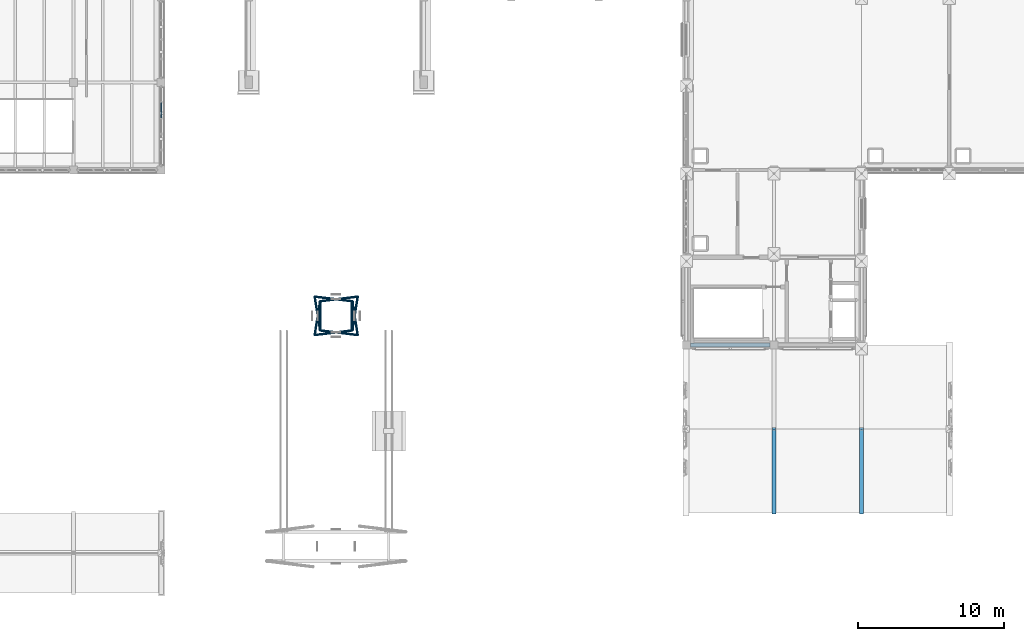
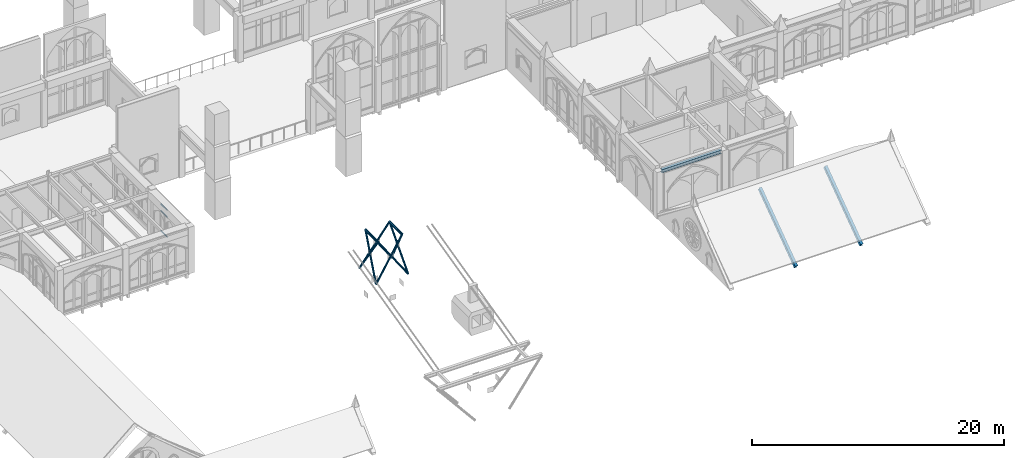
# One storey, part 35 of 108: 19 members, 1 beam, 1 element without a shape of its own.
"""IFC4 building model written with IfcOpenShell, lengths in metres."""

from ifc_helpers import new_model, si_unit, direction, frame, origin, origin_2d, place, context, subcontext, project, spatial, hollow_rectangle, hollow_circle, i_section, extrude, material, layer, layer_set, material_profile, profile_set, type_object, element, aggregate, save


model = new_model("IFC4")

# Units and contexts
model_context = context("Model", 3, precision=1e-05, world=origin(), true_north=direction((0.0, 1.0)))
body_context = subcontext(model_context, "Body", "Model", "MODEL_VIEW")
ifc_project = project(units=[si_unit("LENGTHUNIT", "METRE"), si_unit("AREAUNIT", "SQUARE_METRE"), si_unit("VOLUMEUNIT", "CUBIC_METRE"), si_unit("PLANEANGLEUNIT", "RADIAN"), si_unit("MASSUNIT", "GRAM", prefix="KILO")], contexts=[model_context])

# Site, building, storey
site_placement = place(None, origin())
site = spatial("IfcSite", under=ifc_project, at=site_placement, CompositionType="ELEMENT")
building_placement = place(site_placement, origin())
building = spatial("IfcBuilding", under=site, at=building_placement, Name="Cumevento Cable Car Station", CompositionType="ELEMENT")
storey_placement = place(building_placement, frame((0.0, 0.0, 13.5)))
storey = spatial("IfcBuildingStorey", under=building, at=storey_placement, Name="L04", CompositionType="ELEMENT", Elevation=13.5)

# Curtain wall, members
ifc_material_1 = material(Name="Anodised Bronze Aluminium AW-6063-T6", Category="aluminium")
ifc_layer = layer(ifc_material_1, 0.177978515625)
ifc_layer_set = layer_set([ifc_layer], Name="Anodised Bronze Aluminium AW-6063-T6")
curtain_wall_type = type_object("IfcCurtainWallType", Name="Lancet Curtain Wall CW-04 1170", PredefinedType="NOTDEFINED", material=ifc_layer_set)
curtain_wall_placement = place(storey_placement, origin())
curtain_wall = element("IfcCurtainWall", 1, at=curtain_wall_placement, inside=storey, type_object=curtain_wall_type, Name="Lancet Curtain Wall CW-04 L04 #147", PredefinedType="NOTDEFINED")
ifc_material_2 = material(Name="Anodised Bronze Aluminium AW-6063-T6", Category="aluminium")
ifc_material_profile_1 = material_profile(ifc_material_2, hollow_rectangle(XDim=0.06494140625, YDim=0.1201171875, WallThickness=0.00390625, at=origin_2d()), Name="ALUT65x120x4")
ifc_profile_set_1 = profile_set([ifc_material_profile_1], Name="Anodised Bronze Aluminium AW-6063-T6")
member_type_1 = type_object("IfcMemberType", Name="Curtain Transom CWT-01 ALUT65x120x4", PredefinedType="USERDEFINED", material=ifc_profile_set_1)
member_1_placement = place(storey_placement, frame((82.0, 37.6025390625, 1.159912109375), z_axis=(0.0, -1.0, 0.0), x_axis=(1.0, 0.0, 0.0)))
member_1 = element("IfcMember", 2, at=member_1_placement, type_object=member_type_1, Name="CW-04 transom 2.2", ObjectType="TRANSOM", PredefinedType="USERDEFINED", context=body_context, shape_type="SweptSolid", body=[
    extrude(hollow_rectangle(XDim=0.06494140625, YDim=0.1201171875, WallThickness=0.00390625, at=origin_2d()), origin(), (0.0, 0.0, 1.0), 1.025146484375),
])
member_2_placement = place(storey_placement, frame((82.0, 37.6025390625, 3.096923828125), z_axis=(0.0, -1.0, 0.0), x_axis=(1.0, 0.0, 0.0)))
member_2 = element("IfcMember", 3, at=member_2_placement, type_object=member_type_1, Name="CW-04 transom 2.3", ObjectType="TRANSOM", PredefinedType="USERDEFINED", context=body_context, shape_type="SweptSolid", body=[
    extrude(hollow_rectangle(XDim=0.06494140625, YDim=0.1201171875, WallThickness=0.00390625, at=origin_2d()), origin(), (0.0, 0.0, 1.0), 1.025146484375),
])
member_3_placement = place(storey_placement, frame((82.0, 37.6025390625, 3.764404296875), z_axis=(0.0, -1.0, 0.0), x_axis=(1.0, 0.0, 0.0)))
member_3 = element("IfcMember", 4, at=member_3_placement, type_object=member_type_1, Name="CW-04 transom 2.4", ObjectType="TRANSOM", PredefinedType="USERDEFINED", context=body_context, shape_type="SweptSolid", body=[
    extrude(hollow_rectangle(XDim=0.06494140625, YDim=0.1201171875, WallThickness=0.00390625, at=origin_2d()), origin(), (0.0, 0.0, 1.0), 1.025146484375),
])
aggregate(curtain_wall, [member_1, member_2, member_3])

# Members
ifc_material_3 = material(Name="Steel ASTM A572 Grade 50", Category="steel")
ifc_material_profile_2 = material_profile(ifc_material_3, hollow_circle(Radius=0.109619140625, WallThickness=0.012451171875, at=origin_2d()), Name="CHS219.1x12.5")
ifc_profile_set_2 = profile_set([ifc_material_profile_2], Name="Steel ASTM A572 Grade 50")
member_type_2 = type_object("IfcMemberType", Name="Framing Brace TD-01 CHS219.1x12.5", PredefinedType="BRACE", material=ifc_profile_set_2)
for number, where, z_axis, x_axis, name in (
    (5, (95.10009765625, 22.0, 5.699951171875), (0.0, 1.0, 0.0), (-1.0, 0.0, 0.0), "PYLON_S01 Horizontal Lattice Girt #564"),
    (6, (92.89990234375, 24.0, 5.699951171875), (0.0, -1.0, 0.0), (1.0, 0.0, 0.0), "PYLON_S01 Horizontal Lattice Girt #571"),
):
    element("IfcMember", number, at=place(storey_placement, frame(where, z_axis=z_axis, x_axis=x_axis)), inside=storey, type_object=member_type_2, Name=name, PredefinedType="BRACE", context=body_context, shape_type="SweptSolid", body=[
        extrude(hollow_circle(Radius=0.109619140625, WallThickness=0.012451171875, at=origin_2d()), origin(), (0.0, 0.0, 1.0), 2.0),
    ])
ifc_material_4 = material(Name="Steel ASTM A572 Grade 50", Category="steel")
ifc_material_profile_3 = material_profile(ifc_material_4, hollow_circle(Radius=0.084228515625, WallThickness=0.010009765625, at=origin_2d()), Name="CHS168.3x10.0")
ifc_profile_set_3 = profile_set([ifc_material_profile_3], Name="Steel ASTM A572 Grade 50")
member_type_3 = type_object("IfcMemberType", Name="Framing Brace TD-02 CHS168.3x10.0", PredefinedType="BRACE", material=ifc_profile_set_3)
member_4_placement = place(storey_placement, frame((92.525390625, 21.6845703125, 1.919921875), z_axis=(0.561616737942, 0.068804174609, 0.824531761195), x_axis=(-0.121601747712, 0.992578971646, 0.0)))
element("IfcMember", 7, at=member_4_placement, inside=storey, type_object=member_type_3, Name="PYLON_S01 Lattice X-Brace A #561", PredefinedType="BRACE", context=body_context, shape_type="SweptSolid", body=[
    extrude(hollow_circle(Radius=0.084228515625, WallThickness=0.010009765625, at=origin_2d()), origin(), (0.0, 0.0, 1.0), 4.58447265625),
])
member_5_placement = place(storey_placement, frame((95.474609375, 21.6845703125, 1.919921875), z_axis=(-0.561611066196, 0.068823937888, 0.824533974982), x_axis=(-0.121637370067, -0.99257460687, 0.0)))
element("IfcMember", 8, at=member_5_placement, inside=storey, type_object=member_type_3, Name="PYLON_S01 Lattice X-Brace B Lower #562", PredefinedType="BRACE", context=body_context, shape_type="SweptSolid", body=[
    extrude(hollow_circle(Radius=0.084228515625, WallThickness=0.010009765625, at=origin_2d()), origin(), (0.0, 0.0, 1.0), 2.525634765625),
])
member_6_placement = place(storey_placement, frame((93.94384765625, 21.8720703125, 4.16748046875), z_axis=(-0.561662530875, 0.068828616973, 0.824498528135), x_axis=(-0.121634536012, -0.992574954172, 0.0)))
element("IfcMember", 9, at=member_6_placement, inside=storey, type_object=member_type_3, Name="PYLON_S01 Lattice X-Brace B Upper #563", PredefinedType="BRACE", context=body_context, shape_type="SweptSolid", body=[
    extrude(hollow_circle(Radius=0.084228515625, WallThickness=0.010009765625, at=origin_2d()), origin(), (0.0, 0.0, 1.0), 1.858642578125),
])
member_7_placement = place(storey_placement, frame((95.474609375, 21.6845703125, 1.919921875), z_axis=(-0.084186309278, 0.520484326725, 0.849710969073), x_axis=(-0.987170294173, -0.159670943828, 0.0)))
element("IfcMember", 10, at=member_7_placement, inside=storey, type_object=member_type_3, Name="PYLON_S01 Lattice X-Brace A #565", PredefinedType="BRACE", context=body_context, shape_type="SweptSolid", body=[
    extrude(hollow_circle(Radius=0.084228515625, WallThickness=0.010009765625, at=origin_2d()), origin(), (0.0, 0.0, 1.0), 4.448486328125),
])
member_8_placement = place(storey_placement, frame((95.474609375, 24.3154296875, 1.919921875), z_axis=(-0.084185509616, -0.520501806765, 0.849700340782), x_axis=(0.987171378413, -0.159664240335, 0.0)))
element("IfcMember", 11, at=member_8_placement, inside=storey, type_object=member_type_3, Name="PYLON_S01 Lattice X-Brace B Lower #566", PredefinedType="BRACE", context=body_context, shape_type="SweptSolid", body=[
    extrude(hollow_circle(Radius=0.084228515625, WallThickness=0.010009765625, at=origin_2d()), origin(), (0.0, 0.0, 1.0), 2.42724609375),
])
member_9_placement = place(storey_placement, frame((95.25341796875, 22.947998046875, 4.152587890625), z_axis=(-0.08418932755, -0.520552800757, 0.849668722945), x_axis=(0.987172702452, -0.15965605386, 0.0)))
element("IfcMember", 12, at=member_9_placement, inside=storey, type_object=member_type_3, Name="PYLON_S01 Lattice X-Brace B Upper #567", PredefinedType="BRACE", context=body_context, shape_type="SweptSolid", body=[
    extrude(hollow_circle(Radius=0.084228515625, WallThickness=0.010009765625, at=origin_2d()), origin(), (0.0, 0.0, 1.0), 1.821044921875),
])
member_10_placement = place(storey_placement, frame((95.474609375, 24.3154296875, 1.919921875), z_axis=(-0.561616737942, -0.068804174609, 0.824531761195), x_axis=(0.121601747712, -0.992578971646, 0.0)))
element("IfcMember", 13, at=member_10_placement, inside=storey, type_object=member_type_3, Name="PYLON_S01 Lattice X-Brace A #568", PredefinedType="BRACE", context=body_context, shape_type="SweptSolid", body=[
    extrude(hollow_circle(Radius=0.084228515625, WallThickness=0.010009765625, at=origin_2d()), origin(), (0.0, 0.0, 1.0), 4.58447265625),
])
member_11_placement = place(storey_placement, frame((92.525390625, 24.3154296875, 1.919921875), z_axis=(0.561611066196, -0.068823937888, 0.824533974982), x_axis=(0.121637370067, 0.99257460687, 0.0)))
element("IfcMember", 14, at=member_11_placement, inside=storey, type_object=member_type_3, Name="PYLON_S01 Lattice X-Brace B Lower #569", PredefinedType="BRACE", context=body_context, shape_type="SweptSolid", body=[
    extrude(hollow_circle(Radius=0.084228515625, WallThickness=0.010009765625, at=origin_2d()), origin(), (0.0, 0.0, 1.0), 2.525634765625),
])
member_12_placement = place(storey_placement, frame((94.05615234375, 24.1279296875, 4.16748046875), z_axis=(0.561662530875, -0.068828616973, 0.824498528135), x_axis=(0.121634536012, 0.992574954172, 0.0)))
element("IfcMember", 15, at=member_12_placement, inside=storey, type_object=member_type_3, Name="PYLON_S01 Lattice X-Brace B Upper #570", PredefinedType="BRACE", context=body_context, shape_type="SweptSolid", body=[
    extrude(hollow_circle(Radius=0.084228515625, WallThickness=0.010009765625, at=origin_2d()), origin(), (0.0, 0.0, 1.0), 1.858642578125),
])
member_13_placement = place(storey_placement, frame((92.525390625, 24.3154296875, 1.919921875), z_axis=(0.084186309278, -0.520484326725, 0.849710969073), x_axis=(0.987170294173, 0.159670943828, 0.0)))
element("IfcMember", 16, at=member_13_placement, inside=storey, type_object=member_type_3, Name="PYLON_S01 Lattice X-Brace A #572", PredefinedType="BRACE", context=body_context, shape_type="SweptSolid", body=[
    extrude(hollow_circle(Radius=0.084228515625, WallThickness=0.010009765625, at=origin_2d()), origin(), (0.0, 0.0, 1.0), 4.448486328125),
])
member_14_placement = place(storey_placement, frame((92.525390625, 21.6845703125, 1.919921875), z_axis=(0.084185509616, 0.520501806765, 0.849700340782), x_axis=(-0.987171378413, 0.159664240335, 0.0)))
element("IfcMember", 17, at=member_14_placement, inside=storey, type_object=member_type_3, Name="PYLON_S01 Lattice X-Brace B Lower #573", PredefinedType="BRACE", context=body_context, shape_type="SweptSolid", body=[
    extrude(hollow_circle(Radius=0.084228515625, WallThickness=0.010009765625, at=origin_2d()), origin(), (0.0, 0.0, 1.0), 2.42724609375),
])
member_15_placement = place(storey_placement, frame((92.74658203125, 23.052001953125, 4.152587890625), z_axis=(0.08418932755, 0.520552800757, 0.849668722945), x_axis=(-0.987172702452, 0.15965605386, 0.0)))
element("IfcMember", 18, at=member_15_placement, inside=storey, type_object=member_type_3, Name="PYLON_S01 Lattice X-Brace B Upper #574", PredefinedType="BRACE", context=body_context, shape_type="SweptSolid", body=[
    extrude(hollow_circle(Radius=0.084228515625, WallThickness=0.010009765625, at=origin_2d()), origin(), (0.0, 0.0, 1.0), 1.821044921875),
])
ifc_material_5 = material(Name="Steel ASTM A572 Grade 50", Category="steel")
ifc_material_profile_4 = material_profile(ifc_material_5, i_section(OverallWidth=0.25390625, OverallDepth=0.305908203125, WebThickness=0.0087890625, FlangeThickness=0.0146484375, at=origin_2d()), Name="W310x79.0")
ifc_profile_set_4 = profile_set([ifc_material_profile_4], Name="Steel ASTM A572 Grade 50")
member_type_4 = type_object("IfcMemberType", Name="Framing Chord TC-03 W310x79.0", PredefinedType="CHORD", material=ifc_profile_set_4)
for number, where, z_axis, x_axis, name in (
    (19, (124.0, 9.5, 0.0), (0.0, 0.81087165175, 0.585224029231), (-1.0, 0.0, 0.0), "Wing B_V4a Rafter #761"),
    (20, (130.0, 9.5, 0.0), (0.0, 0.81087165175, 0.585224029231), (-1.0, 0.0, 0.0), "Wing B_V4a Rafter #764"),
):
    element("IfcMember", number, at=place(storey_placement, frame(where, z_axis=z_axis, x_axis=x_axis)), inside=storey, type_object=member_type_4, Name=name, PredefinedType="CHORD", context=body_context, shape_type="SweptSolid", body=[
        extrude(i_section(OverallWidth=0.25390625, OverallDepth=0.305908203125, WebThickness=0.0087890625, FlangeThickness=0.0146484375, at=origin_2d()), origin(), (0.0, 0.0, 1.0), 7.091064453125),
    ])

# Beam
ifc_material_6 = material(Name="Steel ASTM A572 Grade 50", Category="steel")
ifc_material_profile_5 = material_profile(ifc_material_6, i_section(OverallWidth=0.25390625, OverallDepth=0.305908203125, WebThickness=0.0087890625, FlangeThickness=0.0146484375, at=origin_2d()), Name="W310x79.0")
ifc_profile_set_5 = profile_set([ifc_material_profile_5], Name="Steel ASTM A572 Grade 50")
beam_type = type_object("IfcBeamType", Name="Structural Beam BM-06 W310x79.0", PredefinedType="BEAM", material=ifc_profile_set_5)
beam_placement = place(storey_placement, frame((118.27490234375, 21.0, 4.346923828125), z_axis=(1.0, 0.0, 0.0), x_axis=(0.0, 1.0, 0.0)))
element("IfcBeam", 21, at=beam_placement, inside=storey, type_object=beam_type, Name="Beam BM-06 L04 #1451", PredefinedType="BEAM", context=body_context, shape_type="SweptSolid", body=[
    extrude(i_section(OverallWidth=0.25390625, OverallDepth=0.305908203125, WebThickness=0.0087890625, FlangeThickness=0.0146484375, at=origin_2d()), origin(), (0.0, 0.0, 1.0), 5.4501953125),
])

save(model, "model.ifc")
